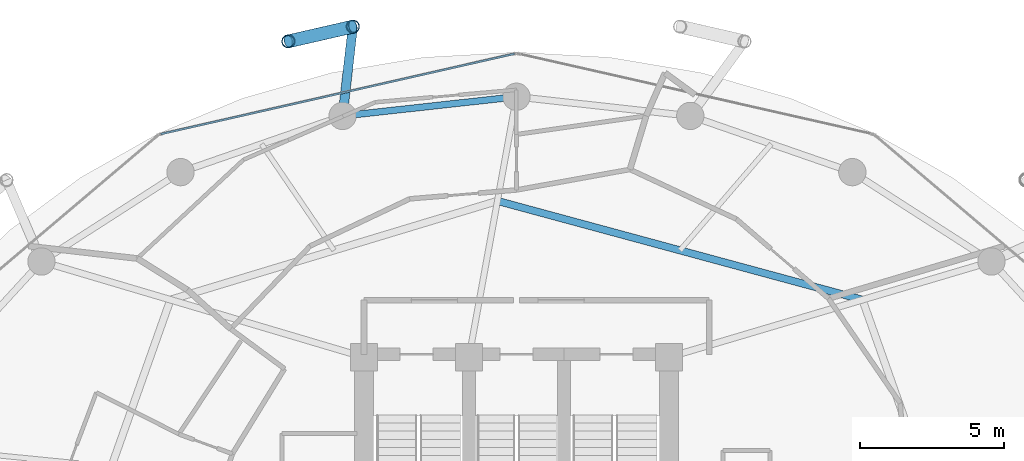
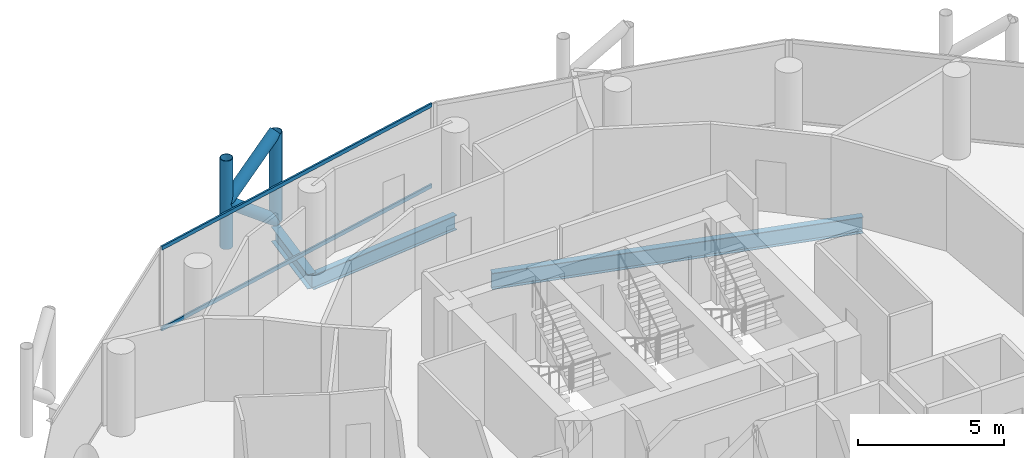
# One storey, part 16 of 26: 6 members, 3 beams, 1 element without a shape of its own.
"""IFC4 building model written with IfcOpenShell, lengths in metres."""

from ifc_helpers import new_model, si_unit, direction, frame, origin, origin_2d, place, context, subcontext, project, spatial, hollow_rectangle, hollow_circle, i_section, extrude, material, layer, layer_set, material_profile, profile_set, type_object, element, aggregate, save


model = new_model("IFC4")

# Units and contexts
model_context = context("Model", 3, precision=1e-05, world=origin(), true_north=direction((0.0, 1.0)))
body_context = subcontext(model_context, "Body", "Model", "MODEL_VIEW")
ifc_project = project(units=[si_unit("LENGTHUNIT", "METRE"), si_unit("AREAUNIT", "SQUARE_METRE"), si_unit("VOLUMEUNIT", "CUBIC_METRE"), si_unit("PLANEANGLEUNIT", "RADIAN"), si_unit("MASSUNIT", "GRAM", prefix="KILO")], contexts=[model_context])

# Site, building, storey
site_placement = place(None, origin())
site = spatial("IfcSite", under=ifc_project, at=site_placement, CompositionType="ELEMENT")
building_placement = place(site_placement, origin())
building = spatial("IfcBuilding", under=site, at=building_placement, Name="Nuhasar Tower", CompositionType="ELEMENT")
storey_placement = place(building_placement, frame((0.0, 0.0, 151.550048828125)))
storey = spatial("IfcBuildingStorey", under=building, at=storey_placement, Name="L36", CompositionType="ELEMENT", Elevation=151.550048828125)

# Beams
ifc_material_1 = material(Name="Steel S355", Category="steel")
ifc_material_profile_1 = material_profile(ifc_material_1, i_section(OverallWidth=0.25390625, OverallDepth=0.68408203125, WebThickness=0.012451171875, FlangeThickness=0.018798828125, at=origin_2d()), Name="W27X94")
ifc_profile_set_1 = profile_set([ifc_material_profile_1], Name="Steel S355")
beam_type_1 = type_object("IfcBeamType", Name="BM-INRING-W27X94", PredefinedType="BEAM", material=ifc_profile_set_1)
beam_1_placement = place(storey_placement, frame((51.027099609375, 39.2939453125, -0.592041015625), z_axis=(-0.96522695776, 0.261413312618, 0.0), x_axis=(-0.261413312618, -0.96522695776, 0.0)))
element("IfcBeam", 1, at=beam_1_placement, inside=storey, type_object=beam_type_1, Name="L36 Inner Header Beam 05", PredefinedType="BEAM", context=body_context, shape_type="SweptSolid", body=[
    extrude(i_section(OverallWidth=0.25390625, OverallDepth=0.68408203125, WebThickness=0.012451171875, FlangeThickness=0.018798828125, at=origin_2d()), origin(), (0.0, 0.0, 1.0), 13.14404296875),
])
ifc_material_profile_2 = material_profile(ifc_material_1, i_section(OverallWidth=0.22998046875, OverallDepth=0.616943359375, WebThickness=0.01318359375, FlangeThickness=0.022216796875, at=origin_2d()), Name="W24X94")
ifc_profile_set_2 = profile_set([ifc_material_profile_2], Name="Steel S355")
beam_type_2 = type_object("IfcBeamType", Name="BM-RING-W24X94", PredefinedType="SPANDREL", material=ifc_profile_set_2)
beam_2_placement = place(storey_placement, frame((39.0, 46.35009765625, -0.55810546875), z_axis=(-0.993981289157, -0.109549974015, 0.0), x_axis=(0.109549974015, -0.993981289157, 0.0)))
element("IfcBeam", 2, at=beam_2_placement, inside=storey, type_object=beam_type_2, Name="L36 Perimeter Ring Spandrel 07", PredefinedType="SPANDREL", context=body_context, shape_type="SweptSolid", body=[
    extrude(i_section(OverallWidth=0.22998046875, OverallDepth=0.616943359375, WebThickness=0.01318359375, FlangeThickness=0.022216796875, at=origin_2d()), origin(), (0.0, 0.0, 1.0), 6.07958984375),
])
ifc_material_profile_3 = material_profile(ifc_material_1, i_section(OverallWidth=0.323974609375, OverallDepth=0.611083984375, WebThickness=0.0126953125, FlangeThickness=0.01904296875, at=origin_2d()), Name="W24X104")
ifc_profile_set_3 = profile_set([ifc_material_profile_3], Name="Steel S355")
beam_type_3 = type_object("IfcBeamType", Name="BM-TIE-W24X104", PredefinedType="BEAM", material=ifc_profile_set_3)
beam_3_placement = place(storey_placement, frame((32.95703125, 45.68408203125, -0.554931640625), z_axis=(0.114167639647, 0.993461499031, 0.0), x_axis=(-0.993461499031, 0.114167639647, 0.0)))
element("IfcBeam", 3, at=beam_3_placement, inside=storey, type_object=beam_type_3, Name="L36 Exoskeleton Node Tie Beam 04", PredefinedType="BEAM", context=body_context, shape_type="SweptSolid", body=[
    extrude(i_section(OverallWidth=0.323974609375, OverallDepth=0.611083984375, WebThickness=0.0126953125, FlangeThickness=0.01904296875, at=origin_2d()), origin(), (0.0, 0.0, 1.0), 3.12646484375),
])

# Curtain wall, members
ifc_material_2 = material(Name="Aluminium 6063-T6", Category="aluminium")
ifc_layer = layer(ifc_material_2, 0.199951171875)
ifc_layer_set = layer_set([ifc_layer], Name="Aluminium 6063-T6")
curtain_wall_type = type_object("IfcCurtainWallType", Name="CW-Z2-HTL", PredefinedType="NOTDEFINED", material=ifc_layer_set)
curtain_wall_placement = place(storey_placement, origin())
curtain_wall = element("IfcCurtainWall", 4, at=curtain_wall_placement, inside=storey, type_object=curtain_wall_type, Name="L36 Unitised Curtain Wall 04", PredefinedType="NOTDEFINED")
ifc_material_profile_4 = material_profile(ifc_material_2, hollow_rectangle(XDim=0.070068359375, YDim=0.159912109375, WallThickness=0.00439453125, at=origin_2d()), Name="CWT-3")
ifc_profile_set_4 = profile_set([ifc_material_profile_4], Name="Aluminium 6063-T6")
member_type_1 = type_object("IfcMemberType", Name="CW-TRN-S3", PredefinedType="USERDEFINED", material=ifc_profile_set_4)
member_1_placement = place(storey_placement, frame((38.931640625, 47.844482421875, 0.034912109375), z_axis=(-0.975183434528, -0.221398439519, 0.0), x_axis=(0.221398439519, -0.975183434528, 0.0)))
member_1 = element("IfcMember", 5, at=member_1_placement, type_object=member_type_1, Name="CW-Z2 transom 1.1", ObjectType="TRANSOM", PredefinedType="USERDEFINED", context=body_context, shape_type="SweptSolid", body=[
    extrude(hollow_rectangle(XDim=0.070068359375, YDim=0.159912109375, WallThickness=0.00439453125, at=origin_2d()), origin(), (0.0, 0.0, 1.0), 12.606201171875),
])
member_2_placement = place(storey_placement, frame((38.931640625, 47.844482421875, 3.4150390625), z_axis=(-0.975183434528, -0.221398439519, 0.0), x_axis=(0.221398439519, -0.975183434528, 0.0)))
member_2 = element("IfcMember", 6, at=member_2_placement, type_object=member_type_1, Name="CW-Z2 transom 1.2", ObjectType="TRANSOM", PredefinedType="USERDEFINED", context=body_context, shape_type="SweptSolid", body=[
    extrude(hollow_rectangle(XDim=0.070068359375, YDim=0.159912109375, WallThickness=0.00439453125, at=origin_2d()), origin(), (0.0, 0.0, 1.0), 12.606201171875),
])
aggregate(curtain_wall, [member_1, member_2])

# Members
ifc_material_3 = material(Name="Steel S460", Category="steel")
ifc_material_profile_5 = material_profile(ifc_material_3, hollow_circle(Radius=0.228515625, WallThickness=0.022216796875, at=origin_2d()), Name="HSS457X22.2")
ifc_profile_set_5 = profile_set([ifc_material_profile_5], Name="Steel S460")
member_type_2 = type_object("IfcMemberType", Name="EXO-BRONZE-457", PredefinedType="BRACE", material=ifc_profile_set_5)
for number, where, z_axis, x_axis, name in (
    (7, (33.31396484375, 48.7900390625, 0.0), (0.0, 0.0, 1.0), (1.0, 0.0, 0.0), "L36 Exoskeleton Chord Column EC-04A"),
    (8, (31.072021484375, 48.27587890625, 0.0), (0.0, 0.0, 1.0), (1.0, 0.0, 0.0), "L36 Exoskeleton Chord Column EC-04B"),
):
    element("IfcMember", number, at=place(storey_placement, frame(where, z_axis=z_axis, x_axis=x_axis)), inside=storey, type_object=member_type_2, Name=name, PredefinedType="BRACE", context=body_context, shape_type="SweptSolid", body=[
        extrude(hollow_circle(Radius=0.228515625, WallThickness=0.022216796875, at=origin_2d()), origin(), (0.0, 0.0, 1.0), 3.699951171875),
    ])
member_3_placement = place(storey_placement, frame((33.31396484375, 48.7900390625, 0.0), z_axis=(-0.759538919781, -0.174190239035, 0.626704388019), x_axis=(0.223533724104, -0.974696195842, 0.0)))
element("IfcMember", 9, at=member_3_placement, inside=storey, type_object=member_type_2, Name="L36 Bronze Diagrid Brace W1-04", PredefinedType="BRACE", context=body_context, shape_type="SweptSolid", body=[
    extrude(hollow_circle(Radius=0.228515625, WallThickness=0.022216796875, at=origin_2d()), origin(), (0.0, 0.0, 1.0), 2.95166015625),
])
member_4_placement = place(storey_placement, frame((31.072021484375, 48.27587890625, 1.849853515625), z_axis=(0.759499549084, 0.174181209885, 0.626754609927), x_axis=(-0.223533724104, 0.974696195842, 0.0)))
element("IfcMember", 10, at=member_4_placement, inside=storey, type_object=member_type_2, Name="L36 Bronze Diagrid Brace W2-04", PredefinedType="BRACE", context=body_context, shape_type="SweptSolid", body=[
    extrude(hollow_circle(Radius=0.228515625, WallThickness=0.022216796875, at=origin_2d()), origin(), (0.0, 0.0, 1.0), 2.951904296875),
])

save(model, "model.ifc")
